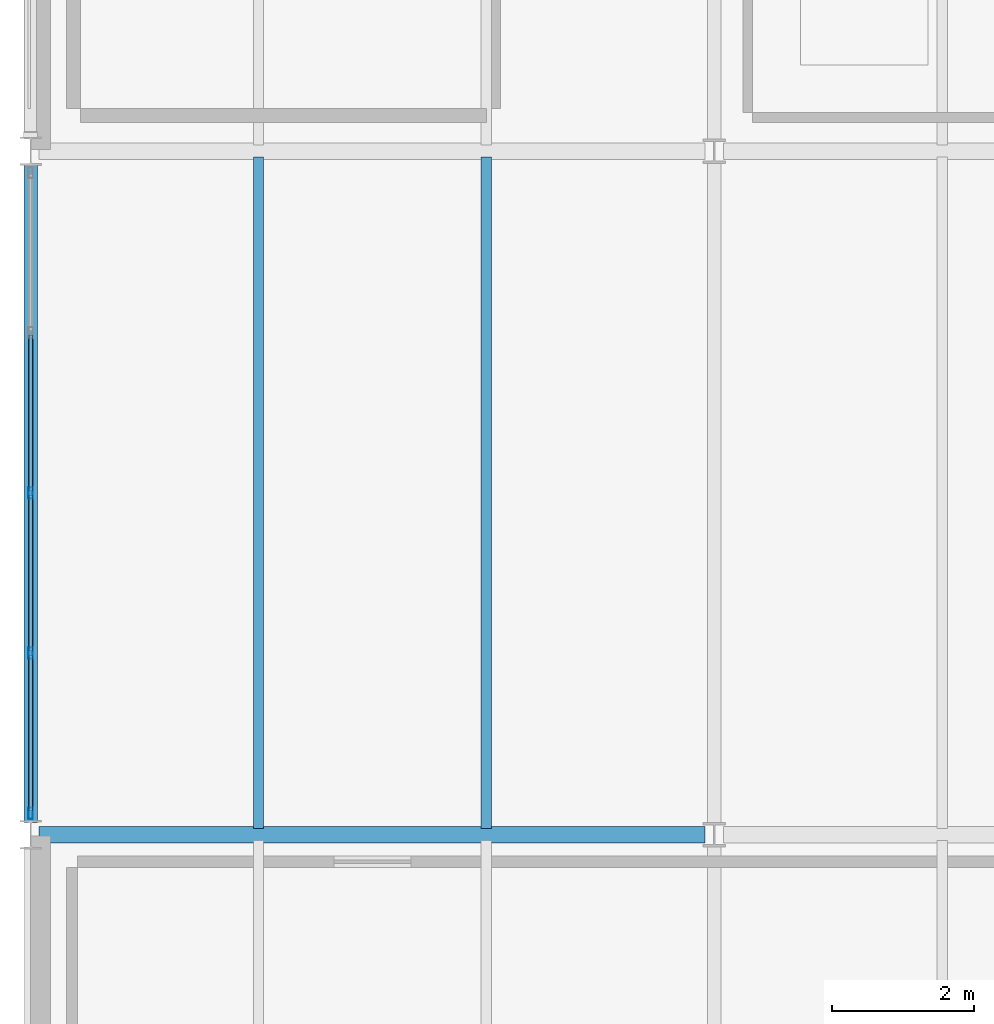
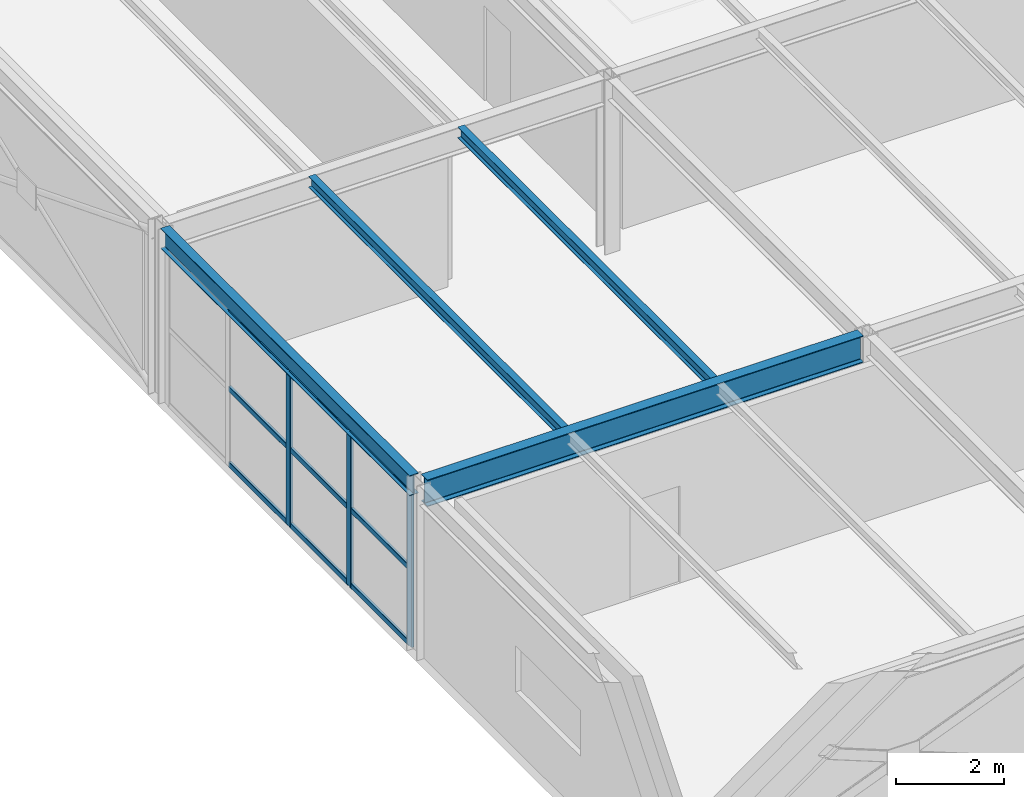
# One storey, part 11 of 126: 12 members, 4 beams, 1 element without a shape of its own.
"""IFC4 building model written with IfcOpenShell, lengths in metres."""

import ifcopenshell
import ifcopenshell.guid

model = None  # the IFC model being written
_history = None  # IfcOwnerHistory: only IFC2X3 demands one
_inside = {}  # id of a spatial element -> (the spatial element, [elements in it])
_under = {}  # id of a project, library or spatial element -> (it, [spatial elements below it])
_declared = {}  # id of a project -> (the project, [libraries it declares])
_typed = {}  # id of a type object -> (the type object, [elements of that type])
_made_of = {}  # id of a material, layer set ... -> (it, [elements and type objects made of it])


def new_model(schema):
    """Start an empty IFC model of exactly this schema.

    Asked for "IFC4X3", IfcOpenShell would pick the latest addendum, in which some entities
    have other attributes; the version numbers below select the first issue.
    IFC2X3 requires an IfcOwnerHistory on every rooted entity: one is made here for all.
    """
    global model, _history
    if schema == "IFC4X3":
        model = ifcopenshell.file(schema_version=(4, 3, 0, 0))
    else:
        model = ifcopenshell.file(schema=schema)
    _inside.clear()
    _under.clear()
    _declared.clear()
    _typed.clear()
    _made_of.clear()
    _history = None
    if model.schema == "IFC2X3":
        org = make("IfcOrganization", Name="unknown")
        user = make(
            "IfcPersonAndOrganization",
            ThePerson=make("IfcPerson", FamilyName="unknown"),
            TheOrganization=org,
        )
        app = make(
            "IfcApplication",
            ApplicationDeveloper=org,
            Version="unknown",
            ApplicationFullName="unknown",
            ApplicationIdentifier="unknown",
        )
        _history = make(
            "IfcOwnerHistory",
            OwningUser=user,
            OwningApplication=app,
            ChangeAction="ADDED",
            CreationDate=0,
        )
    return model


def make(cls, **values):
    """One entity of the class cls with the attributes given. An attribute that is None is left unset."""
    return model.create_entity(
        cls, **{name: value for name, value in values.items() if value is not None}
    )


def rooted(cls, **values):
    """An entity with a GlobalId (a new one), such as an element, a storey or a relation."""
    return make(cls, GlobalId=ifcopenshell.guid.new(), OwnerHistory=_history, **values)


def si_unit(unit_type, name, prefix=None):
    """IfcSIUnit, for example si_unit("LENGTHUNIT", "METRE", prefix="MILLI")."""
    return make("IfcSIUnit", UnitType=unit_type, Prefix=prefix, Name=name)


def assignment(units):
    """IfcUnitAssignment: the units of a project."""
    return None if units is None else make("IfcUnitAssignment", Units=units)


def point(xyz):
    """IfcCartesianPoint."""
    return None if xyz is None else make("IfcCartesianPoint", Coordinates=xyz)


def direction(xyz):
    """IfcDirection."""
    return None if xyz is None else make("IfcDirection", DirectionRatios=xyz)


def frame(location, z_axis=None, x_axis=None):
    """IfcAxis2Placement3D, a coordinate frame: its origin and axes. An axis left out is left unset."""
    return make(
        "IfcAxis2Placement3D",
        Location=point(location),
        Axis=direction(z_axis),
        RefDirection=direction(x_axis),
    )


def frame_2d(location, x_axis=None):
    """IfcAxis2Placement2D, a coordinate frame in the plane: its origin and x axis."""
    return make(
        "IfcAxis2Placement2D", Location=point(location), RefDirection=direction(x_axis)
    )


def origin():
    """The frame at (0, 0, 0) with its axes left unset."""
    return frame((0.0, 0.0, 0.0))


def origin_2d():
    """The frame at (0, 0) in the plane with its x axis left unset."""
    return frame_2d((0.0, 0.0))


def place(relative_to, where):
    """IfcLocalPlacement: puts the frame where relative to a parent placement (None: the world)."""
    return make(
        "IfcLocalPlacement", PlacementRelTo=relative_to, RelativePlacement=where
    )


def context(
    kind, dimensions, precision=None, world=None, true_north=None, identifier=None
):
    """IfcGeometricRepresentationContext, for example the 3D "Model" context."""
    return make(
        "IfcGeometricRepresentationContext",
        ContextIdentifier=identifier,
        ContextType=kind,
        CoordinateSpaceDimension=dimensions,
        Precision=precision,
        WorldCoordinateSystem=world,
        TrueNorth=true_north,
    )


def subcontext(parent, identifier, kind, view, scale=None):
    """IfcGeometricRepresentationSubContext, for example "Body" below "Model"."""
    return make(
        "IfcGeometricRepresentationSubContext",
        ContextIdentifier=identifier,
        ContextType=kind,
        ParentContext=parent,
        TargetScale=scale,
        TargetView=view,
    )


def project(units=None, contexts=None):
    """IfcProject with its units and contexts."""
    return rooted(
        "IfcProject",
        Name="project",
        RepresentationContexts=contexts,
        UnitsInContext=assignment(units),
    )


def spatial(cls, under=None, at=None, **own):
    """A site, building, storey or space (cls), placed at a placement, below another one or the project."""
    s = rooted(cls, ObjectPlacement=at, **own)
    if under is not None:
        _under.setdefault(under.id(), (under, []))[1].append(s)
    return s


def profile(cls, at=None, kind="AREA", **sizes):
    """A parametric profile (cls). Its sizes go by their IFC names, for example OverallWidth=200.0."""
    return make(cls, ProfileType=kind, Position=at, **sizes)


def hollow_rectangle(**sizes):
    """IfcRectangleHollowProfileDef."""
    return profile("IfcRectangleHollowProfileDef", **sizes)


def i_section(**sizes):
    """IfcIShapeProfileDef."""
    return profile("IfcIShapeProfileDef", **sizes)


def extrude(swept, where, along, depth):
    """IfcExtrudedAreaSolid: the profile swept, set in the frame where, extruded along a direction by depth."""
    return make(
        "IfcExtrudedAreaSolid",
        SweptArea=swept,
        Position=where,
        ExtrudedDirection=direction(along),
        Depth=depth,
    )


def shape(context_of_items, identifier, shape_type, items):
    """IfcShapeRepresentation: the items that make up one representation, for example the "Body"."""
    return make(
        "IfcShapeRepresentation",
        ContextOfItems=context_of_items,
        RepresentationIdentifier=identifier,
        RepresentationType=shape_type,
        Items=items,
    )


def material(Name=None, Category=None):
    """IfcMaterial."""
    return make("IfcMaterial", Name=Name, Category=Category)


def material_profile(
    of_material, cross_section, Name=None, Category=None, Priority=None
):
    """IfcMaterialProfile: a cross section and its material."""
    return make(
        "IfcMaterialProfile",
        Name=Name,
        Material=of_material,
        Profile=cross_section,
        Priority=Priority,
        Category=Category,
    )


def profile_set(profiles, Name=None, composite=None):
    """IfcMaterialProfileSet."""
    return make(
        "IfcMaterialProfileSet",
        Name=Name,
        MaterialProfiles=profiles,
        CompositeProfile=composite,
    )


def made_of(thing, what):
    """Note that an element or type object is made of a material, layer set ...; save() writes the relation."""
    if what is not None:
        _made_of.setdefault(what.id(), (what, []))[1].append(thing)
    return thing


def type_object(cls, material=None, **own):
    """A type object (cls), such as IfcWallType, which elements share."""
    return made_of(rooted(cls, **own), material)


def element(
    cls,
    number,
    at=None,
    inside=None,
    cuts=None,
    type_object=None,
    material=None,
    context=None,
    identifier="Body",
    shape_type=None,
    held_by="IfcProductDefinitionShape",
    body=None,
    shapes=None,
    **own,
):
    """One element of the class cls, such as IfcWall. Its Tag is "e" and its number.

    at: its placement. inside: the storey or other place that contains it. cuts: it is an
    opening in that element (IfcRelVoidsElement). A single representation is given by context,
    identifier, shape_type and body (its items); several are given by shapes. held_by: the class
    of the entity that holds the representations. save() writes the other relations.
    """
    e = rooted(cls, Tag="e%d" % number, ObjectPlacement=at, **own)
    if body is not None:
        shapes = [shape(context, identifier, shape_type, body)]
    if shapes is not None:
        e.Representation = make(held_by, Representations=shapes)
    if inside is not None:
        _inside.setdefault(inside.id(), (inside, []))[1].append(e)
    if cuts is not None:
        rooted(
            "IfcRelVoidsElement", RelatingBuildingElement=cuts, RelatedOpeningElement=e
        )
    if type_object is not None:
        _typed.setdefault(type_object.id(), (type_object, []))[1].append(e)
    return made_of(e, material)


def aggregate(whole, parts):
    """IfcRelAggregates: a whole, such as a stair, and the parts it consists of."""
    return rooted("IfcRelAggregates", RelatingObject=whole, RelatedObjects=parts)


def save(model, path):
    """Write the relations noted so far, then the file.

    IfcRelAggregates (storeys below a building ...), IfcRelContainedInSpatialStructure (elements
    in a storey), IfcRelDefinesByType, IfcRelAssociatesMaterial and IfcRelDeclares: one each for
    every whole, place, type object, material and project.
    """
    for whole, parts in _under.values():
        aggregate(whole, parts)
    for where, things in _inside.values():
        rooted(
            "IfcRelContainedInSpatialStructure",
            RelatedElements=things,
            RelatingStructure=where,
        )
    for kind, things in _typed.values():
        rooted("IfcRelDefinesByType", RelatedObjects=things, RelatingType=kind)
    for what, things in _made_of.values():
        rooted("IfcRelAssociatesMaterial", RelatedObjects=things, RelatingMaterial=what)
    for by, libraries in _declared.values():
        rooted("IfcRelDeclares", RelatingContext=by, RelatedDefinitions=libraries)
    model.write(path)


model = new_model("IFC4")

# Units and contexts
model_context = context("Model", 3, precision=1e-05, world=origin(), true_north=direction((0.0, 1.0)))
body_context = subcontext(model_context, "Body", "Model", "MODEL_VIEW")
ifc_project = project(units=[si_unit("LENGTHUNIT", "METRE"), si_unit("AREAUNIT", "SQUARE_METRE"), si_unit("VOLUMEUNIT", "CUBIC_METRE"), si_unit("PLANEANGLEUNIT", "RADIAN"), si_unit("MASSUNIT", "GRAM", prefix="KILO")], contexts=[model_context])

# Site, building, storey
site_placement = place(None, origin())
site = spatial("IfcSite", under=ifc_project, at=site_placement, CompositionType="ELEMENT")
building_placement = place(site_placement, origin())
building = spatial("IfcBuilding", under=site, at=building_placement, Name="Coralgate Yard Interchange", CompositionType="ELEMENT")
storey_placement = place(building_placement, frame((0.0, 0.0, 10.5)))
storey = spatial("IfcBuildingStorey", under=building, at=storey_placement, Name="L02", CompositionType="ELEMENT", Elevation=10.5)

# Beams
ifc_material_1 = material(Name="Structural steel S355J2", Category="steel")
ifc_material_profile_1 = material_profile(ifc_material_1, i_section(OverallWidth=0.1904296875, OverallDepth=0.45703125, WebThickness=0.009033203125, FlangeThickness=0.014404296875, FilletRadius=0.01025390625, at=origin_2d()), Name="UB 457x191x74")
ifc_profile_set_1 = profile_set([ifc_material_profile_1], Name="Structural steel S355J2")
beam_type_1 = type_object("IfcBeamType", Name="BM-SB-2", PredefinedType="BEAM", material=ifc_profile_set_1)
beam_1_placement = place(storey_placement, frame((0.0, 9.77001953125, 3.721435546875), z_axis=(0.0, 1.0, 0.0), x_axis=(-1.0, 0.0, 0.0)))
element("IfcBeam", 1, at=beam_1_placement, inside=storey, type_object=beam_type_1, Name="L02 primary grid girder X0 Y1-2", PredefinedType="BEAM", context=body_context, shape_type="SweptSolid", body=[
    extrude(i_section(OverallWidth=0.1904296875, OverallDepth=0.45703125, WebThickness=0.009033203125, FlangeThickness=0.014404296875, FilletRadius=0.01025390625, at=origin_2d()), origin(), (0.0, 0.0, 1.0), 9.260009765625),
])
ifc_material_profile_2 = material_profile(ifc_material_1, i_section(OverallWidth=0.228271484375, OverallDepth=0.607666015625, WebThickness=0.010986328125, FlangeThickness=0.017333984375, FilletRadius=0.0126953125, at=origin_2d()), Name="UB 610x229x113")
ifc_profile_set_2 = profile_set([ifc_material_profile_2], Name="Structural steel S355J2")
beam_type_2 = type_object("IfcBeamType", Name="BM-SG-5", PredefinedType="BEAM", material=ifc_profile_set_2)
beam_2_placement = place(storey_placement, frame((0.1201171875, 9.60009765625, 3.646240234375), z_axis=(1.0, 0.0, 0.0), x_axis=(0.0, 1.0, 0.0)))
element("IfcBeam", 2, at=beam_2_placement, inside=storey, type_object=beam_type_2, Name="L02 primary grid beam Y1 X0-1", PredefinedType="BEAM", context=body_context, shape_type="SweptSolid", body=[
    extrude(i_section(OverallWidth=0.228271484375, OverallDepth=0.607666015625, WebThickness=0.010986328125, FlangeThickness=0.017333984375, FilletRadius=0.0126953125, at=origin_2d()), origin(), (0.0, 0.0, 1.0), 9.3525390625),
])
ifc_material_profile_3 = material_profile(ifc_material_1, i_section(OverallWidth=0.14599609375, OverallDepth=0.25146484375, WebThickness=0.006103515625, FlangeThickness=0.008544921875, FilletRadius=0.007568359375, at=origin_2d()), Name="UB 254x146x31")
ifc_profile_set_3 = profile_set([ifc_material_profile_3], Name="Structural steel S355J2")
beam_type_3 = type_object("IfcBeamType", Name="BM-SJ-2", PredefinedType="JOIST", material=ifc_profile_set_3)
for number, where, z_axis, x_axis, name in (
    (3, (3.199951171875, 9.68408203125, 3.82421875), (0.0, 1.0, 0.0), (-1.0, 0.0, 0.0), "L02 composite floor joist 0-1-1"),
    (4, (6.39990234375, 9.68408203125, 3.82421875), (0.0, 1.0, 0.0), (-1.0, 0.0, 0.0), "L02 composite floor joist 0-1-2"),
):
    element("IfcBeam", number, at=place(storey_placement, frame(where, z_axis=z_axis, x_axis=x_axis)), inside=storey, type_object=beam_type_3, Name=name, PredefinedType="JOIST", context=body_context, shape_type="SweptSolid", body=[
        extrude(i_section(OverallWidth=0.14599609375, OverallDepth=0.25146484375, WebThickness=0.006103515625, FlangeThickness=0.008544921875, FilletRadius=0.007568359375, at=origin_2d()), origin(), (0.0, 0.0, 1.0), 9.431884765625),
    ])

# Curtain wall, members
ifc_material_2 = material(Name="Anodised coastal aluminium and solar-control low-E glass", Category="aluminium")
curtain_wall_type = type_object("IfcCurtainWallType", Name="CW-CW-L02-A", PredefinedType="NOTDEFINED", material=ifc_material_2)
curtain_wall_placement = place(storey_placement, origin())
curtain_wall = element("IfcCurtainWall", 5, at=curtain_wall_placement, inside=storey, type_object=curtain_wall_type, Name="L02 unitised curtain wall CW-L02-W-00-01", PredefinedType="NOTDEFINED")
ifc_material_3 = material(Name="Anodised coastal aluminium 6063-T6", Category="aluminium")
ifc_material_profile_4 = material_profile(ifc_material_3, hollow_rectangle(XDim=0.06494140625, YDim=0.159912109375, WallThickness=0.00390625, InnerFilletRadius=0.00390625, OuterFilletRadius=0.008056640625, at=origin_2d()), Name="ALU 65x160x4")
ifc_profile_set_4 = profile_set([ifc_material_profile_4], Name="Anodised coastal aluminium 6063-T6")
member_type_1 = type_object("IfcMemberType", Name="MB-MUL-160", PredefinedType="MULLION", material=ifc_profile_set_4)
member_1_placement = place(storey_placement, frame((0.0, 9.89990234375, 0.0), z_axis=(0.0, 0.0, 1.0), x_axis=(1.0, 0.0, 0.0)))
member_1 = element("IfcMember", 6, at=member_1_placement, type_object=member_type_1, Name="CW-L02-W-00-01 vertical mullion 1", PredefinedType="MULLION", context=body_context, shape_type="SweptSolid", body=[
    extrude(hollow_rectangle(XDim=0.06494140625, YDim=0.159912109375, WallThickness=0.00390625, InnerFilletRadius=0.00390625, OuterFilletRadius=0.008056640625, at=origin_2d()), origin(), (0.0, 0.0, 1.0), 3.492919921875),
])
member_2_placement = place(storey_placement, frame((0.0, 12.14990234375, 0.0), z_axis=(0.0, 0.0, 1.0), x_axis=(1.0, 0.0, 0.0)))
member_2 = element("IfcMember", 7, at=member_2_placement, type_object=member_type_1, Name="CW-L02-W-00-01 vertical mullion 2", PredefinedType="MULLION", context=body_context, shape_type="SweptSolid", body=[
    extrude(hollow_rectangle(XDim=0.06494140625, YDim=0.159912109375, WallThickness=0.00390625, InnerFilletRadius=0.00390625, OuterFilletRadius=0.008056640625, at=origin_2d()), origin(), (0.0, 0.0, 1.0), 3.492919921875),
])
member_3_placement = place(storey_placement, frame((0.0, 14.39990234375, 0.0), z_axis=(0.0, 0.0, 1.0), x_axis=(1.0, 0.0, 0.0)))
member_3 = element("IfcMember", 8, at=member_3_placement, type_object=member_type_1, Name="CW-L02-W-00-01 vertical mullion 3", PredefinedType="MULLION", context=body_context, shape_type="SweptSolid", body=[
    extrude(hollow_rectangle(XDim=0.06494140625, YDim=0.159912109375, WallThickness=0.00390625, InnerFilletRadius=0.00390625, OuterFilletRadius=0.008056640625, at=origin_2d()), origin(), (0.0, 0.0, 1.0), 3.492919921875),
])
ifc_material_profile_5 = material_profile(ifc_material_3, hollow_rectangle(XDim=0.06005859375, YDim=0.1201171875, WallThickness=0.00341796875, InnerFilletRadius=0.00341796875, OuterFilletRadius=0.007080078125, at=origin_2d()), Name="ALU 60x120x3.5")
ifc_profile_set_5 = profile_set([ifc_material_profile_5], Name="Anodised coastal aluminium 6063-T6")
member_type_2 = type_object("IfcMemberType", Name="MB-TRN-120", PredefinedType="USERDEFINED", material=ifc_profile_set_5)
member_4_placement = place(storey_placement, frame((0.0, 9.929931640625, 0.034912109375), z_axis=(0.0, 1.0, 0.0), x_axis=(-1.0, 0.0, 0.0)))
member_4 = element("IfcMember", 9, at=member_4_placement, type_object=member_type_2, Name="CW-L02-W-00-01 horizontal transom 1-1", ObjectType="TRANSOM", PredefinedType="USERDEFINED", context=body_context, shape_type="SweptSolid", body=[
    extrude(hollow_rectangle(XDim=0.06005859375, YDim=0.1201171875, WallThickness=0.00341796875, InnerFilletRadius=0.00341796875, OuterFilletRadius=0.007080078125, at=origin_2d()), origin(), (0.0, 0.0, 1.0), 2.190185546875),
])
member_5_placement = place(storey_placement, frame((0.0, 9.929931640625, 1.74658203125), z_axis=(0.0, 1.0, 0.0), x_axis=(-1.0, 0.0, 0.0)))
member_5 = element("IfcMember", 10, at=member_5_placement, type_object=member_type_2, Name="CW-L02-W-00-01 horizontal transom 1-2", ObjectType="TRANSOM", PredefinedType="USERDEFINED", context=body_context, shape_type="SweptSolid", body=[
    extrude(hollow_rectangle(XDim=0.06005859375, YDim=0.1201171875, WallThickness=0.00341796875, InnerFilletRadius=0.00341796875, OuterFilletRadius=0.007080078125, at=origin_2d()), origin(), (0.0, 0.0, 1.0), 2.190185546875),
])
member_6_placement = place(storey_placement, frame((0.0, 9.929931640625, 3.4580078125), z_axis=(0.0, 1.0, 0.0), x_axis=(-1.0, 0.0, 0.0)))
member_6 = element("IfcMember", 11, at=member_6_placement, type_object=member_type_2, Name="CW-L02-W-00-01 horizontal transom 1-3", ObjectType="TRANSOM", PredefinedType="USERDEFINED", context=body_context, shape_type="SweptSolid", body=[
    extrude(hollow_rectangle(XDim=0.06005859375, YDim=0.1201171875, WallThickness=0.00341796875, InnerFilletRadius=0.00341796875, OuterFilletRadius=0.007080078125, at=origin_2d()), origin(), (0.0, 0.0, 1.0), 2.190185546875),
])
member_7_placement = place(storey_placement, frame((0.0, 12.179931640625, 0.034912109375), z_axis=(0.0, 1.0, 0.0), x_axis=(-1.0, 0.0, 0.0)))
member_7 = element("IfcMember", 12, at=member_7_placement, type_object=member_type_2, Name="CW-L02-W-00-01 horizontal transom 2-1", ObjectType="TRANSOM", PredefinedType="USERDEFINED", context=body_context, shape_type="SweptSolid", body=[
    extrude(hollow_rectangle(XDim=0.06005859375, YDim=0.1201171875, WallThickness=0.00341796875, InnerFilletRadius=0.00341796875, OuterFilletRadius=0.007080078125, at=origin_2d()), origin(), (0.0, 0.0, 1.0), 2.190185546875),
])
member_8_placement = place(storey_placement, frame((0.0, 12.179931640625, 1.74658203125), z_axis=(0.0, 1.0, 0.0), x_axis=(-1.0, 0.0, 0.0)))
member_8 = element("IfcMember", 13, at=member_8_placement, type_object=member_type_2, Name="CW-L02-W-00-01 horizontal transom 2-2", ObjectType="TRANSOM", PredefinedType="USERDEFINED", context=body_context, shape_type="SweptSolid", body=[
    extrude(hollow_rectangle(XDim=0.06005859375, YDim=0.1201171875, WallThickness=0.00341796875, InnerFilletRadius=0.00341796875, OuterFilletRadius=0.007080078125, at=origin_2d()), origin(), (0.0, 0.0, 1.0), 2.190185546875),
])
member_9_placement = place(storey_placement, frame((0.0, 12.179931640625, 3.4580078125), z_axis=(0.0, 1.0, 0.0), x_axis=(-1.0, 0.0, 0.0)))
member_9 = element("IfcMember", 14, at=member_9_placement, type_object=member_type_2, Name="CW-L02-W-00-01 horizontal transom 2-3", ObjectType="TRANSOM", PredefinedType="USERDEFINED", context=body_context, shape_type="SweptSolid", body=[
    extrude(hollow_rectangle(XDim=0.06005859375, YDim=0.1201171875, WallThickness=0.00341796875, InnerFilletRadius=0.00341796875, OuterFilletRadius=0.007080078125, at=origin_2d()), origin(), (0.0, 0.0, 1.0), 2.190185546875),
])
member_10_placement = place(storey_placement, frame((0.0, 14.429931640625, 0.034912109375), z_axis=(0.0, 1.0, 0.0), x_axis=(-1.0, 0.0, 0.0)))
member_10 = element("IfcMember", 15, at=member_10_placement, type_object=member_type_2, Name="CW-L02-W-00-01 horizontal transom 3-1", ObjectType="TRANSOM", PredefinedType="USERDEFINED", context=body_context, shape_type="SweptSolid", body=[
    extrude(hollow_rectangle(XDim=0.06005859375, YDim=0.1201171875, WallThickness=0.00341796875, InnerFilletRadius=0.00341796875, OuterFilletRadius=0.007080078125, at=origin_2d()), origin(), (0.0, 0.0, 1.0), 2.190185546875),
])
member_11_placement = place(storey_placement, frame((0.0, 14.429931640625, 1.74658203125), z_axis=(0.0, 1.0, 0.0), x_axis=(-1.0, 0.0, 0.0)))
member_11 = element("IfcMember", 16, at=member_11_placement, type_object=member_type_2, Name="CW-L02-W-00-01 horizontal transom 3-2", ObjectType="TRANSOM", PredefinedType="USERDEFINED", context=body_context, shape_type="SweptSolid", body=[
    extrude(hollow_rectangle(XDim=0.06005859375, YDim=0.1201171875, WallThickness=0.00341796875, InnerFilletRadius=0.00341796875, OuterFilletRadius=0.007080078125, at=origin_2d()), origin(), (0.0, 0.0, 1.0), 2.190185546875),
])
member_12_placement = place(storey_placement, frame((0.0, 14.429931640625, 3.4580078125), z_axis=(0.0, 1.0, 0.0), x_axis=(-1.0, 0.0, 0.0)))
member_12 = element("IfcMember", 17, at=member_12_placement, type_object=member_type_2, Name="CW-L02-W-00-01 horizontal transom 3-3", ObjectType="TRANSOM", PredefinedType="USERDEFINED", context=body_context, shape_type="SweptSolid", body=[
    extrude(hollow_rectangle(XDim=0.06005859375, YDim=0.1201171875, WallThickness=0.00341796875, InnerFilletRadius=0.00341796875, OuterFilletRadius=0.007080078125, at=origin_2d()), origin(), (0.0, 0.0, 1.0), 2.190185546875),
])
aggregate(curtain_wall, [member_1, member_2, member_3, member_4, member_5, member_6, member_7, member_8, member_9, member_10, member_11, member_12])

save(model, "model.ifc")
